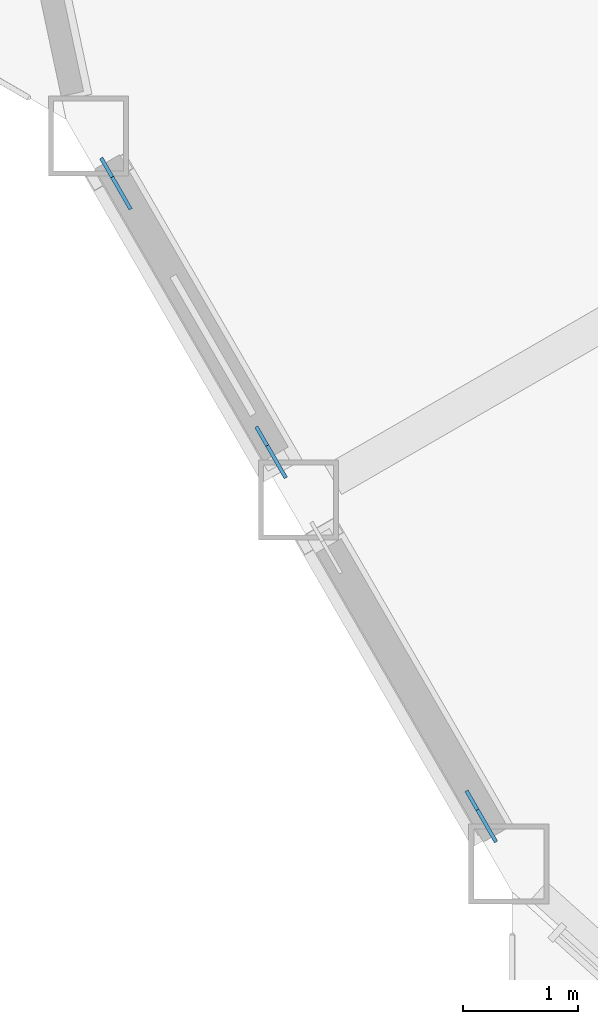
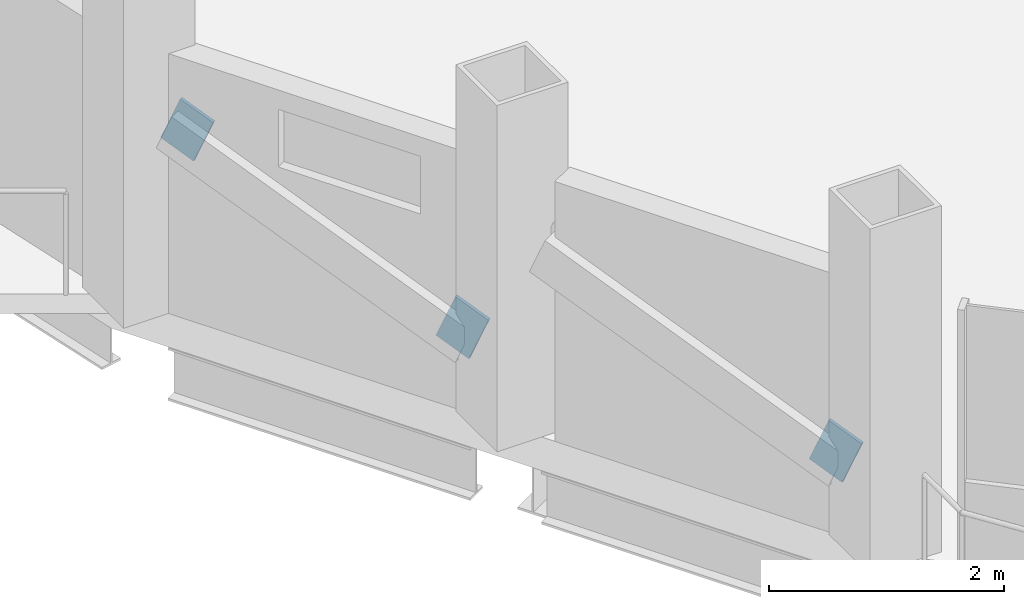
# One storey, part 16 of 23: 3 discrete accessories.
"""IFC4 building model written with IfcOpenShell, lengths in metres."""

from ifc_helpers import new_model, si_unit, direction, frame, origin, origin_2d, place, context, subcontext, project, spatial, rectangle, extrude, material, material_profile, profile_set, type_object, element, save


model = new_model("IFC4")

# Units and contexts
model_context = context("Model", 3, precision=1e-05, world=origin(), true_north=direction((0.0, 1.0)))
body_context = subcontext(model_context, "Body", "Model", "MODEL_VIEW")
ifc_project = project(units=[si_unit("LENGTHUNIT", "METRE"), si_unit("AREAUNIT", "SQUARE_METRE"), si_unit("VOLUMEUNIT", "CUBIC_METRE"), si_unit("PLANEANGLEUNIT", "RADIAN"), si_unit("MASSUNIT", "GRAM", prefix="KILO")], contexts=[model_context])

# Site, building, storey
site_placement = place(None, origin())
site = spatial("IfcSite", under=ifc_project, at=site_placement, CompositionType="ELEMENT")
building_placement = place(site_placement, origin())
building = spatial("IfcBuilding", under=site, at=building_placement, Name="Cormorant Prow Tower", CompositionType="ELEMENT")
storey_placement = place(building_placement, frame((0.0, 0.0, 263.39990234375)))
storey = spatial("IfcBuildingStorey", under=building, at=storey_placement, Name="L59", CompositionType="ELEMENT", Elevation=263.39990234375)

# Discrete accessories
ifc_material = material(Name="Structural steel ASTM A500 Gr C", Category="steel")
ifc_material_profile = material_profile(ifc_material, rectangle(XDim=0.031982421875, YDim=0.506103515625, at=origin_2d()), Name="Gusset plate 32x506")
ifc_profile_set = profile_set([ifc_material_profile], Name="Structural steel ASTM A500 Gr C")
discrete_accessory_type = type_object("IfcDiscreteAccessoryType", Name="Gusset plate 32x506", PredefinedType="BRACKET", material=ifc_profile_set)
discrete_accessory_1_placement = place(storey_placement, frame((-28.09814453125, -15.4794921875, 0.863037109375), z_axis=(0.462949952395, -0.801795851286, -0.37788987078), x_axis=(0.866010015463, 0.500026652407, 0.0)))
element("IfcDiscreteAccessory", 1, at=discrete_accessory_1_placement, inside=storey, type_object=discrete_accessory_type, Name="Gusset plate GP2 L59.WSW00.g0", PredefinedType="BRACKET", context=body_context, shape_type="SweptSolid", body=[
    extrude(rectangle(XDim=0.031982421875, YDim=0.506103515625, at=origin_2d()), origin(), (0.0, 0.0, 1.0), 0.35009765625),
])
discrete_accessory_2_placement = place(storey_placement, frame((-29.2900390625, -13.4150390625, 1.837890625), z_axis=(-0.462538490196, 0.801593854051, 0.378821116405), x_axis=(-0.866147934042, -0.499787711288, 0.0)))
element("IfcDiscreteAccessory", 2, at=discrete_accessory_2_placement, inside=storey, type_object=discrete_accessory_type, Name="Gusset plate GP2 L59.WSW00.g1", PredefinedType="BRACKET", context=body_context, shape_type="SweptSolid", body=[
    extrude(rectangle(XDim=0.031982421875, YDim=0.506103515625, at=origin_2d()), origin(), (0.0, 0.0, 1.0), 0.349853515625),
])
discrete_accessory_3_placement = place(storey_placement, frame((-26.262939453125, -18.658203125, 0.863037109375), z_axis=(0.462949952395, -0.801795851286, -0.37788987078), x_axis=(0.866010015463, 0.500026652407, 0.0)))
element("IfcDiscreteAccessory", 3, at=discrete_accessory_3_placement, inside=storey, type_object=discrete_accessory_type, Name="Gusset plate GP2 L59.WSW01.g0", PredefinedType="BRACKET", context=body_context, shape_type="SweptSolid", body=[
    extrude(rectangle(XDim=0.031982421875, YDim=0.506103515625, at=origin_2d()), origin(), (0.0, 0.0, 1.0), 0.35009765625),
])

save(model, "model.ifc")
